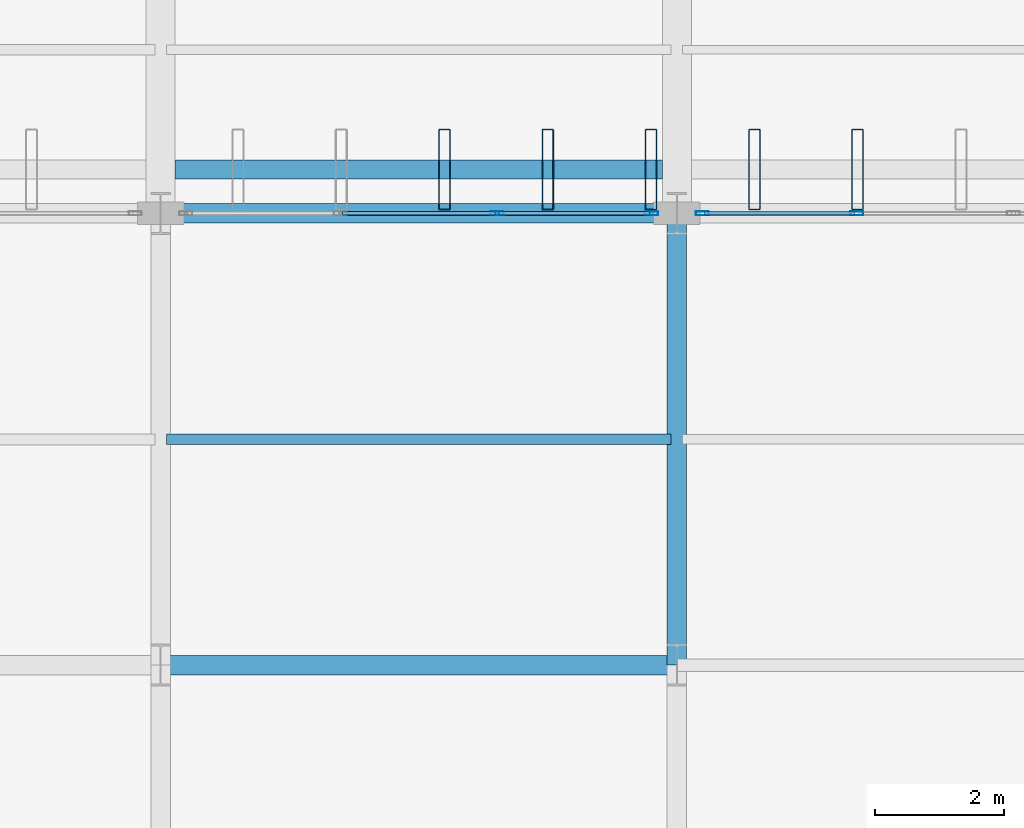
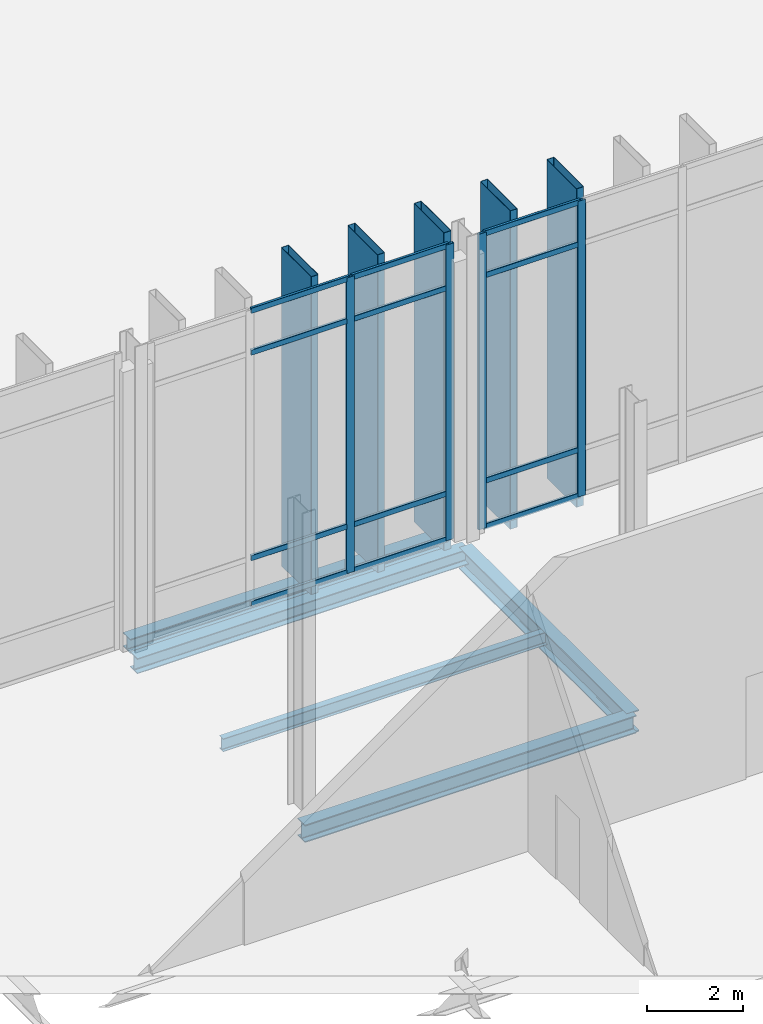
# One storey, part 67 of 176: 21 members, 5 beams, 2 elements without a shape of their own.
"""IFC4 building model written with IfcOpenShell, lengths in metres."""

import ifcopenshell
import ifcopenshell.guid

model = None  # the IFC model being written
_history = None  # IfcOwnerHistory: only IFC2X3 demands one
_inside = {}  # id of a spatial element -> (the spatial element, [elements in it])
_under = {}  # id of a project, library or spatial element -> (it, [spatial elements below it])
_declared = {}  # id of a project -> (the project, [libraries it declares])
_typed = {}  # id of a type object -> (the type object, [elements of that type])
_made_of = {}  # id of a material, layer set ... -> (it, [elements and type objects made of it])


def new_model(schema):
    """Start an empty IFC model of exactly this schema.

    Asked for "IFC4X3", IfcOpenShell would pick the latest addendum, in which some entities
    have other attributes; the version numbers below select the first issue.
    IFC2X3 requires an IfcOwnerHistory on every rooted entity: one is made here for all.
    """
    global model, _history
    if schema == "IFC4X3":
        model = ifcopenshell.file(schema_version=(4, 3, 0, 0))
    else:
        model = ifcopenshell.file(schema=schema)
    _inside.clear()
    _under.clear()
    _declared.clear()
    _typed.clear()
    _made_of.clear()
    _history = None
    if model.schema == "IFC2X3":
        org = make("IfcOrganization", Name="unknown")
        user = make(
            "IfcPersonAndOrganization",
            ThePerson=make("IfcPerson", FamilyName="unknown"),
            TheOrganization=org,
        )
        app = make(
            "IfcApplication",
            ApplicationDeveloper=org,
            Version="unknown",
            ApplicationFullName="unknown",
            ApplicationIdentifier="unknown",
        )
        _history = make(
            "IfcOwnerHistory",
            OwningUser=user,
            OwningApplication=app,
            ChangeAction="ADDED",
            CreationDate=0,
        )
    return model


def make(cls, **values):
    """One entity of the class cls with the attributes given. An attribute that is None is left unset."""
    return model.create_entity(
        cls, **{name: value for name, value in values.items() if value is not None}
    )


def rooted(cls, **values):
    """An entity with a GlobalId (a new one), such as an element, a storey or a relation."""
    return make(cls, GlobalId=ifcopenshell.guid.new(), OwnerHistory=_history, **values)


def si_unit(unit_type, name, prefix=None):
    """IfcSIUnit, for example si_unit("LENGTHUNIT", "METRE", prefix="MILLI")."""
    return make("IfcSIUnit", UnitType=unit_type, Prefix=prefix, Name=name)


def assignment(units):
    """IfcUnitAssignment: the units of a project."""
    return None if units is None else make("IfcUnitAssignment", Units=units)


def point(xyz):
    """IfcCartesianPoint."""
    return None if xyz is None else make("IfcCartesianPoint", Coordinates=xyz)


def direction(xyz):
    """IfcDirection."""
    return None if xyz is None else make("IfcDirection", DirectionRatios=xyz)


def frame(location, z_axis=None, x_axis=None):
    """IfcAxis2Placement3D, a coordinate frame: its origin and axes. An axis left out is left unset."""
    return make(
        "IfcAxis2Placement3D",
        Location=point(location),
        Axis=direction(z_axis),
        RefDirection=direction(x_axis),
    )


def frame_2d(location, x_axis=None):
    """IfcAxis2Placement2D, a coordinate frame in the plane: its origin and x axis."""
    return make(
        "IfcAxis2Placement2D", Location=point(location), RefDirection=direction(x_axis)
    )


def origin():
    """The frame at (0, 0, 0) with its axes left unset."""
    return frame((0.0, 0.0, 0.0))


def origin_2d():
    """The frame at (0, 0) in the plane with its x axis left unset."""
    return frame_2d((0.0, 0.0))


def place(relative_to, where):
    """IfcLocalPlacement: puts the frame where relative to a parent placement (None: the world)."""
    return make(
        "IfcLocalPlacement", PlacementRelTo=relative_to, RelativePlacement=where
    )


def context(
    kind, dimensions, precision=None, world=None, true_north=None, identifier=None
):
    """IfcGeometricRepresentationContext, for example the 3D "Model" context."""
    return make(
        "IfcGeometricRepresentationContext",
        ContextIdentifier=identifier,
        ContextType=kind,
        CoordinateSpaceDimension=dimensions,
        Precision=precision,
        WorldCoordinateSystem=world,
        TrueNorth=true_north,
    )


def subcontext(parent, identifier, kind, view, scale=None):
    """IfcGeometricRepresentationSubContext, for example "Body" below "Model"."""
    return make(
        "IfcGeometricRepresentationSubContext",
        ContextIdentifier=identifier,
        ContextType=kind,
        ParentContext=parent,
        TargetScale=scale,
        TargetView=view,
    )


def project(units=None, contexts=None):
    """IfcProject with its units and contexts."""
    return rooted(
        "IfcProject",
        Name="project",
        RepresentationContexts=contexts,
        UnitsInContext=assignment(units),
    )


def spatial(cls, under=None, at=None, **own):
    """A site, building, storey or space (cls), placed at a placement, below another one or the project."""
    s = rooted(cls, ObjectPlacement=at, **own)
    if under is not None:
        _under.setdefault(under.id(), (under, []))[1].append(s)
    return s


def profile(cls, at=None, kind="AREA", **sizes):
    """A parametric profile (cls). Its sizes go by their IFC names, for example OverallWidth=200.0."""
    return make(cls, ProfileType=kind, Position=at, **sizes)


def hollow_rectangle(**sizes):
    """IfcRectangleHollowProfileDef."""
    return profile("IfcRectangleHollowProfileDef", **sizes)


def i_section(**sizes):
    """IfcIShapeProfileDef."""
    return profile("IfcIShapeProfileDef", **sizes)


def extrude(swept, where, along, depth):
    """IfcExtrudedAreaSolid: the profile swept, set in the frame where, extruded along a direction by depth."""
    return make(
        "IfcExtrudedAreaSolid",
        SweptArea=swept,
        Position=where,
        ExtrudedDirection=direction(along),
        Depth=depth,
    )


def shape(context_of_items, identifier, shape_type, items):
    """IfcShapeRepresentation: the items that make up one representation, for example the "Body"."""
    return make(
        "IfcShapeRepresentation",
        ContextOfItems=context_of_items,
        RepresentationIdentifier=identifier,
        RepresentationType=shape_type,
        Items=items,
    )


def material(Name=None, Category=None):
    """IfcMaterial."""
    return make("IfcMaterial", Name=Name, Category=Category)


def layer(
    of_material, thickness, ventilated=None, Name=None, Category=None, Priority=None
):
    """IfcMaterialLayer: one layer of a wall or slab, of a material (None: an air gap)."""
    return make(
        "IfcMaterialLayer",
        Material=of_material,
        LayerThickness=thickness,
        IsVentilated=ventilated,
        Name=Name,
        Category=Category,
        Priority=Priority,
    )


def layer_set(layers, Name=None):
    """IfcMaterialLayerSet."""
    return make("IfcMaterialLayerSet", MaterialLayers=layers, LayerSetName=Name)


def material_profile(
    of_material, cross_section, Name=None, Category=None, Priority=None
):
    """IfcMaterialProfile: a cross section and its material."""
    return make(
        "IfcMaterialProfile",
        Name=Name,
        Material=of_material,
        Profile=cross_section,
        Priority=Priority,
        Category=Category,
    )


def profile_set(profiles, Name=None, composite=None):
    """IfcMaterialProfileSet."""
    return make(
        "IfcMaterialProfileSet",
        Name=Name,
        MaterialProfiles=profiles,
        CompositeProfile=composite,
    )


def made_of(thing, what):
    """Note that an element or type object is made of a material, layer set ...; save() writes the relation."""
    if what is not None:
        _made_of.setdefault(what.id(), (what, []))[1].append(thing)
    return thing


def type_object(cls, material=None, **own):
    """A type object (cls), such as IfcWallType, which elements share."""
    return made_of(rooted(cls, **own), material)


def element(
    cls,
    number,
    at=None,
    inside=None,
    cuts=None,
    type_object=None,
    material=None,
    context=None,
    identifier="Body",
    shape_type=None,
    held_by="IfcProductDefinitionShape",
    body=None,
    shapes=None,
    **own,
):
    """One element of the class cls, such as IfcWall. Its Tag is "e" and its number.

    at: its placement. inside: the storey or other place that contains it. cuts: it is an
    opening in that element (IfcRelVoidsElement). A single representation is given by context,
    identifier, shape_type and body (its items); several are given by shapes. held_by: the class
    of the entity that holds the representations. save() writes the other relations.
    """
    e = rooted(cls, Tag="e%d" % number, ObjectPlacement=at, **own)
    if body is not None:
        shapes = [shape(context, identifier, shape_type, body)]
    if shapes is not None:
        e.Representation = make(held_by, Representations=shapes)
    if inside is not None:
        _inside.setdefault(inside.id(), (inside, []))[1].append(e)
    if cuts is not None:
        rooted(
            "IfcRelVoidsElement", RelatingBuildingElement=cuts, RelatedOpeningElement=e
        )
    if type_object is not None:
        _typed.setdefault(type_object.id(), (type_object, []))[1].append(e)
    return made_of(e, material)


def aggregate(whole, parts):
    """IfcRelAggregates: a whole, such as a stair, and the parts it consists of."""
    return rooted("IfcRelAggregates", RelatingObject=whole, RelatedObjects=parts)


def save(model, path):
    """Write the relations noted so far, then the file.

    IfcRelAggregates (storeys below a building ...), IfcRelContainedInSpatialStructure (elements
    in a storey), IfcRelDefinesByType, IfcRelAssociatesMaterial and IfcRelDeclares: one each for
    every whole, place, type object, material and project.
    """
    for whole, parts in _under.values():
        aggregate(whole, parts)
    for where, things in _inside.values():
        rooted(
            "IfcRelContainedInSpatialStructure",
            RelatedElements=things,
            RelatingStructure=where,
        )
    for kind, things in _typed.values():
        rooted("IfcRelDefinesByType", RelatedObjects=things, RelatingType=kind)
    for what, things in _made_of.values():
        rooted("IfcRelAssociatesMaterial", RelatedObjects=things, RelatingMaterial=what)
    for by, libraries in _declared.values():
        rooted("IfcRelDeclares", RelatingContext=by, RelatedDefinitions=libraries)
    model.write(path)


model = new_model("IFC4")

# Units and contexts
model_context = context("Model", 3, precision=1e-05, world=origin(), true_north=direction((0.0, 1.0)))
body_context = subcontext(model_context, "Body", "Model", "MODEL_VIEW")
ifc_project = project(units=[si_unit("LENGTHUNIT", "METRE"), si_unit("AREAUNIT", "SQUARE_METRE"), si_unit("VOLUMEUNIT", "CUBIC_METRE"), si_unit("PLANEANGLEUNIT", "RADIAN"), si_unit("MASSUNIT", "GRAM", prefix="KILO")], contexts=[model_context])

# Site, building, storey
site_placement = place(None, origin())
site = spatial("IfcSite", under=ifc_project, at=site_placement, CompositionType="ELEMENT")
building_placement = place(site_placement, origin())
building = spatial("IfcBuilding", under=site, at=building_placement, Name="Vekula Escarpment Museum", CompositionType="ELEMENT")
storey_placement = place(building_placement, origin())
storey = spatial("IfcBuildingStorey", under=building, at=storey_placement, Name="L01", CompositionType="ELEMENT", Elevation=0.0)

# Beams
ifc_material_1 = material(Name="Steel S355", Category="steel")
ifc_material_profile_1 = material_profile(ifc_material_1, i_section(OverallWidth=0.300048828125, OverallDepth=0.360107421875, WebThickness=0.012451171875, FlangeThickness=0.0224609375, FilletRadius=0.027099609375, at=origin_2d()), Name="HEB 360")
ifc_profile_set_1 = profile_set([ifc_material_profile_1], Name="Steel S355")
beam_type_1 = type_object("IfcBeamType", Name="BM-GIRD-HEB360", PredefinedType="BEAM", material=ifc_profile_set_1)
beam_1_placement = place(storey_placement, frame((110.22509765625, 91.080078125, -0.47998046875), z_axis=(1.0, 0.0, 0.0), x_axis=(0.0, 1.0, 0.0)))
element("IfcBeam", 1, at=beam_1_placement, inside=storey, type_object=beam_type_1, Name="Solar Fin Sill Girder 015", PredefinedType="BEAM", context=body_context, shape_type="SweptSolid", body=[
    extrude(i_section(OverallWidth=0.300048828125, OverallDepth=0.360107421875, WebThickness=0.012451171875, FlangeThickness=0.0224609375, FilletRadius=0.027099609375, at=origin_2d()), origin(), (0.0, 0.0, 1.0), 7.5498046875),
])
ifc_material_2 = material(Name="Steel S355", Category="steel")
ifc_material_profile_2 = material_profile(ifc_material_2, i_section(OverallWidth=0.300048828125, OverallDepth=0.449951171875, WebThickness=0.013916015625, FlangeThickness=0.02587890625, FilletRadius=0.027099609375, at=origin_2d()), Name="HEB 450")
ifc_profile_set_2 = profile_set([ifc_material_profile_2], Name="Steel S355")
beam_type_2 = type_object("IfcBeamType", Name="BM-GIRD-HEB450", PredefinedType="BEAM", material=ifc_profile_set_2)
beam_2_placement = place(storey_placement, frame((110.0, 83.39990234375, -0.52490234375), z_axis=(1.0, 0.0, 0.0), x_axis=(0.0, 1.0, 0.0)))
element("IfcBeam", 2, at=beam_2_placement, inside=storey, type_object=beam_type_2, Name="Beam X L01 0243", PredefinedType="BEAM", context=body_context, shape_type="SweptSolid", body=[
    extrude(i_section(OverallWidth=0.300048828125, OverallDepth=0.449951171875, WebThickness=0.013916015625, FlangeThickness=0.02587890625, FilletRadius=0.027099609375, at=origin_2d()), origin(), (0.0, 0.0, 1.0), 8.0),
])
ifc_material_3 = material(Name="Steel S355", Category="steel")
ifc_material_profile_3 = material_profile(ifc_material_3, i_section(OverallWidth=0.300048828125, OverallDepth=0.550048828125, WebThickness=0.014892578125, FlangeThickness=0.029052734375, FilletRadius=0.027099609375, at=origin_2d()), Name="HEB 550")
ifc_profile_set_3 = profile_set([ifc_material_profile_3], Name="Steel S355")
beam_type_3 = type_object("IfcBeamType", Name="BM-GIRD-HEB550", PredefinedType="BEAM", material=ifc_profile_set_3)
beam_3_placement = place(storey_placement, frame((118.0, 83.39990234375, -0.574951171875), z_axis=(0.0, 1.0, 0.0), x_axis=(-1.0, 0.0, 0.0)))
element("IfcBeam", 3, at=beam_3_placement, inside=storey, type_object=beam_type_3, Name="Beam Y L01 0641", PredefinedType="BEAM", context=body_context, shape_type="SweptSolid", body=[
    extrude(i_section(OverallWidth=0.300048828125, OverallDepth=0.550048828125, WebThickness=0.014892578125, FlangeThickness=0.029052734375, FilletRadius=0.027099609375, at=origin_2d()), origin(), (0.0, 0.0, 1.0), 7.0),
])
ifc_material_4 = material(Name="Steel S355", Category="steel")
ifc_material_profile_4 = material_profile(ifc_material_4, i_section(OverallWidth=0.159912109375, OverallDepth=0.330078125, WebThickness=0.007568359375, FlangeThickness=0.011474609375, FilletRadius=0.01806640625, at=origin_2d()), Name="IPE 330")
ifc_profile_set_4 = profile_set([ifc_material_profile_4], Name="Steel S355")
beam_type_4 = type_object("IfcBeamType", Name="BM-JST-IPE330", PredefinedType="JOIST", material=ifc_profile_set_4)
beam_4_placement = place(storey_placement, frame((110.090087890625, 86.89990234375, -0.465087890625), z_axis=(1.0, 0.0, 0.0), x_axis=(0.0, 1.0, 0.0)))
element("IfcBeam", 4, at=beam_4_placement, inside=storey, type_object=beam_type_4, Name="Secondary Joist L01 0370", PredefinedType="JOIST", context=body_context, shape_type="SweptSolid", body=[
    extrude(i_section(OverallWidth=0.159912109375, OverallDepth=0.330078125, WebThickness=0.007568359375, FlangeThickness=0.011474609375, FilletRadius=0.01806640625, at=origin_2d()), origin(), (0.0, 0.0, 1.0), 7.81982421875),
])
ifc_material_5 = material(Name="Steel S355", Category="steel")
ifc_material_profile_5 = material_profile(ifc_material_5, i_section(OverallWidth=0.300048828125, OverallDepth=0.389892578125, WebThickness=0.010986328125, FlangeThickness=0.01904296875, FilletRadius=0.027099609375, at=origin_2d()), Name="HEA 400")
ifc_profile_set_5 = profile_set([ifc_material_profile_5], Name="Steel S355")
beam_type_5 = type_object("IfcBeamType", Name="BM-SPAN-HEA400", PredefinedType="SPANDREL", material=ifc_profile_set_5)
beam_5_placement = place(storey_placement, frame((110.0, 90.39990234375, -0.4951171875), z_axis=(1.0, 0.0, 0.0), x_axis=(0.0, 1.0, 0.0)))
element("IfcBeam", 5, at=beam_5_placement, inside=storey, type_object=beam_type_5, Name="Beam X L01 0262", PredefinedType="SPANDREL", context=body_context, shape_type="SweptSolid", body=[
    extrude(i_section(OverallWidth=0.300048828125, OverallDepth=0.389892578125, WebThickness=0.010986328125, FlangeThickness=0.01904296875, FilletRadius=0.027099609375, at=origin_2d()), origin(), (0.0, 0.0, 1.0), 8.0),
])

# Curtain wall, members
ifc_material_6 = material(Name="Aluminium thermally broken framing", Category="aluminium")
ifc_layer_1 = layer(ifc_material_6, 0.159912109375)
ifc_layer_set_1 = layer_set([ifc_layer_1], Name="Aluminium thermally broken framing")
curtain_wall_type_1 = type_object("IfcCurtainWallType", Name="CW-SYS-05", PredefinedType="NOTDEFINED", material=ifc_layer_set_1)
curtain_wall_1_placement = place(storey_placement, origin())
curtain_wall_1 = element("IfcCurtainWall", 6, at=curtain_wall_1_placement, inside=storey, type_object=curtain_wall_type_1, Name="Curtain Wall CW-L01-025", PredefinedType="NOTDEFINED")
ifc_material_7 = material(Name="Aluminium anodized mullion", Category="aluminium")
ifc_material_profile_6 = material_profile(ifc_material_7, hollow_rectangle(XDim=0.06494140625, YDim=0.199951171875, WallThickness=0.00390625, InnerFilletRadius=0.00390625, OuterFilletRadius=0.008056640625, at=origin_2d()), Name="ALU 200x65x4")
ifc_profile_set_6 = profile_set([ifc_material_profile_6], Name="Aluminium anodized mullion")
member_type_1 = type_object("IfcMemberType", Name="CW-MUL-200", PredefinedType="MULLION", material=ifc_profile_set_6)
member_1_placement = place(storey_placement, frame((120.78662109375, 90.39990234375, 0.0), z_axis=(0.0, 0.0, 1.0), x_axis=(0.0, -1.0, 0.0)))
member_1 = element("IfcMember", 7, at=member_1_placement, type_object=member_type_1, Name="CW-05 mullion 3", PredefinedType="MULLION", context=body_context, shape_type="SweptSolid", body=[
    extrude(hollow_rectangle(XDim=0.06494140625, YDim=0.199951171875, WallThickness=0.00390625, InnerFilletRadius=0.00390625, OuterFilletRadius=0.008056640625, at=origin_2d()), origin(), (0.0, 0.0, 1.0), 7.5400390625),
])
member_2_placement = place(storey_placement, frame((118.392578125, 90.39990234375, 0.0), z_axis=(0.0, 0.0, 1.0), x_axis=(0.0, -1.0, 0.0)))
member_2 = element("IfcMember", 8, at=member_2_placement, type_object=member_type_1, Name="CW-05 mullion 4", PredefinedType="MULLION", context=body_context, shape_type="SweptSolid", body=[
    extrude(hollow_rectangle(XDim=0.06494140625, YDim=0.199951171875, WallThickness=0.00390625, InnerFilletRadius=0.00390625, OuterFilletRadius=0.008056640625, at=origin_2d()), origin(), (0.0, 0.0, 1.0), 7.5400390625),
])

ifc_material_8 = material(Name="Aluminium thermally broken framing", Category="aluminium")
ifc_layer_2 = layer(ifc_material_8, 0.139892578125)
ifc_layer_set_2 = layer_set([ifc_layer_2], Name="Aluminium thermally broken framing")
curtain_wall_type_2 = type_object("IfcCurtainWallType", Name="CW-SYS-06", PredefinedType="NOTDEFINED", material=ifc_layer_set_2)
curtain_wall_2_placement = place(storey_placement, origin())
curtain_wall_2 = element("IfcCurtainWall", 9, at=curtain_wall_2_placement, inside=storey, type_object=curtain_wall_type_2, Name="Curtain Wall CW-L01-026", PredefinedType="NOTDEFINED")
member_3_placement = place(storey_placement, frame((117.607421875, 90.39990234375, 0.0), z_axis=(0.0, 0.0, 1.0), x_axis=(0.0, -1.0, 0.0)))
member_3 = element("IfcMember", 10, at=member_3_placement, type_object=member_type_1, Name="CW-06 mullion 1", PredefinedType="MULLION", context=body_context, shape_type="SweptSolid", body=[
    extrude(hollow_rectangle(XDim=0.06494140625, YDim=0.199951171875, WallThickness=0.00390625, InnerFilletRadius=0.00390625, OuterFilletRadius=0.008056640625, at=origin_2d()), origin(), (0.0, 0.0, 1.0), 7.5400390625),
])
member_4_placement = place(storey_placement, frame((115.21337890625, 90.39990234375, 0.0), z_axis=(0.0, 0.0, 1.0), x_axis=(0.0, -1.0, 0.0)))
member_4 = element("IfcMember", 11, at=member_4_placement, type_object=member_type_1, Name="CW-06 mullion 2", PredefinedType="MULLION", context=body_context, shape_type="SweptSolid", body=[
    extrude(hollow_rectangle(XDim=0.06494140625, YDim=0.199951171875, WallThickness=0.00390625, InnerFilletRadius=0.00390625, OuterFilletRadius=0.008056640625, at=origin_2d()), origin(), (0.0, 0.0, 1.0), 7.5400390625),
])

# Member
ifc_material_9 = material(Name="Aluminium anodized transom", Category="aluminium")
ifc_material_profile_7 = material_profile(ifc_material_9, hollow_rectangle(XDim=0.06494140625, YDim=0.139892578125, WallThickness=0.00390625, InnerFilletRadius=0.00390625, OuterFilletRadius=0.008056640625, at=origin_2d()), Name="ALU 140x65x4")
ifc_profile_set_7 = profile_set([ifc_material_profile_7], Name="Aluminium anodized transom")
member_type_2 = type_object("IfcMemberType", Name="CW-TRN-140", PredefinedType="USERDEFINED", material=ifc_profile_set_7)
member_5_placement = place(storey_placement, frame((120.754150390625, 90.39990234375, 0.032470703125), z_axis=(-1.0, 0.0, 0.0), x_axis=(0.0, -1.0, 0.0)))
member_5 = element("IfcMember", 12, at=member_5_placement, type_object=member_type_2, Name="CW-05 transom 3.1", ObjectType="TRANSOM", PredefinedType="USERDEFINED", context=body_context, shape_type="SweptSolid", body=[
    extrude(hollow_rectangle(XDim=0.06494140625, YDim=0.139892578125, WallThickness=0.00390625, InnerFilletRadius=0.00390625, OuterFilletRadius=0.008056640625, at=origin_2d()), origin(), (0.0, 0.0, 1.0), 2.3291015625),
])

member_6_placement = place(storey_placement, frame((120.754150390625, 90.39990234375, 1.199951171875), z_axis=(-1.0, 0.0, 0.0), x_axis=(0.0, -1.0, 0.0)))
member_6 = element("IfcMember", 13, at=member_6_placement, type_object=member_type_2, Name="CW-05 transom 3.2", ObjectType="TRANSOM", PredefinedType="USERDEFINED", context=body_context, shape_type="SweptSolid", body=[
    extrude(hollow_rectangle(XDim=0.06494140625, YDim=0.139892578125, WallThickness=0.00390625, InnerFilletRadius=0.00390625, OuterFilletRadius=0.008056640625, at=origin_2d()), origin(), (0.0, 0.0, 1.0), 2.3291015625),
])

member_7_placement = place(storey_placement, frame((120.754150390625, 90.39990234375, 6.43994140625), z_axis=(-1.0, 0.0, 0.0), x_axis=(0.0, -1.0, 0.0)))
member_7 = element("IfcMember", 14, at=member_7_placement, type_object=member_type_2, Name="CW-05 transom 3.3", ObjectType="TRANSOM", PredefinedType="USERDEFINED", context=body_context, shape_type="SweptSolid", body=[
    extrude(hollow_rectangle(XDim=0.06494140625, YDim=0.139892578125, WallThickness=0.00390625, InnerFilletRadius=0.00390625, OuterFilletRadius=0.008056640625, at=origin_2d()), origin(), (0.0, 0.0, 1.0), 2.3291015625),
])

member_8_placement = place(storey_placement, frame((120.754150390625, 90.39990234375, 7.507568359375), z_axis=(-1.0, 0.0, 0.0), x_axis=(0.0, -1.0, 0.0)))
member_8 = element("IfcMember", 15, at=member_8_placement, type_object=member_type_2, Name="CW-05 transom 3.4", ObjectType="TRANSOM", PredefinedType="USERDEFINED", context=body_context, shape_type="SweptSolid", body=[
    extrude(hollow_rectangle(XDim=0.06494140625, YDim=0.139892578125, WallThickness=0.00390625, InnerFilletRadius=0.00390625, OuterFilletRadius=0.008056640625, at=origin_2d()), origin(), (0.0, 0.0, 1.0), 2.3291015625),
])

aggregate(curtain_wall_1, [member_1, member_2, member_5, member_6, member_7, member_8])

member_9_placement = place(storey_placement, frame((117.574951171875, 90.39990234375, 0.032470703125), z_axis=(-1.0, 0.0, 0.0), x_axis=(0.0, -1.0, 0.0)))
member_9 = element("IfcMember", 16, at=member_9_placement, type_object=member_type_2, Name="CW-06 transom 1.1", ObjectType="TRANSOM", PredefinedType="USERDEFINED", context=body_context, shape_type="SweptSolid", body=[
    extrude(hollow_rectangle(XDim=0.06494140625, YDim=0.139892578125, WallThickness=0.00390625, InnerFilletRadius=0.00390625, OuterFilletRadius=0.008056640625, at=origin_2d()), origin(), (0.0, 0.0, 1.0), 2.3291015625),
])

member_10_placement = place(storey_placement, frame((117.574951171875, 90.39990234375, 1.199951171875), z_axis=(-1.0, 0.0, 0.0), x_axis=(0.0, -1.0, 0.0)))
member_10 = element("IfcMember", 17, at=member_10_placement, type_object=member_type_2, Name="CW-06 transom 1.2", ObjectType="TRANSOM", PredefinedType="USERDEFINED", context=body_context, shape_type="SweptSolid", body=[
    extrude(hollow_rectangle(XDim=0.06494140625, YDim=0.139892578125, WallThickness=0.00390625, InnerFilletRadius=0.00390625, OuterFilletRadius=0.008056640625, at=origin_2d()), origin(), (0.0, 0.0, 1.0), 2.3291015625),
])

member_11_placement = place(storey_placement, frame((117.574951171875, 90.39990234375, 6.43994140625), z_axis=(-1.0, 0.0, 0.0), x_axis=(0.0, -1.0, 0.0)))
member_11 = element("IfcMember", 18, at=member_11_placement, type_object=member_type_2, Name="CW-06 transom 1.3", ObjectType="TRANSOM", PredefinedType="USERDEFINED", context=body_context, shape_type="SweptSolid", body=[
    extrude(hollow_rectangle(XDim=0.06494140625, YDim=0.139892578125, WallThickness=0.00390625, InnerFilletRadius=0.00390625, OuterFilletRadius=0.008056640625, at=origin_2d()), origin(), (0.0, 0.0, 1.0), 2.3291015625),
])

member_12_placement = place(storey_placement, frame((117.574951171875, 90.39990234375, 7.507568359375), z_axis=(-1.0, 0.0, 0.0), x_axis=(0.0, -1.0, 0.0)))
member_12 = element("IfcMember", 19, at=member_12_placement, type_object=member_type_2, Name="CW-06 transom 1.4", ObjectType="TRANSOM", PredefinedType="USERDEFINED", context=body_context, shape_type="SweptSolid", body=[
    extrude(hollow_rectangle(XDim=0.06494140625, YDim=0.139892578125, WallThickness=0.00390625, InnerFilletRadius=0.00390625, OuterFilletRadius=0.008056640625, at=origin_2d()), origin(), (0.0, 0.0, 1.0), 2.3291015625),
])

member_13_placement = place(storey_placement, frame((115.180908203125, 90.39990234375, 0.032470703125), z_axis=(-1.0, 0.0, 0.0), x_axis=(0.0, -1.0, 0.0)))
member_13 = element("IfcMember", 20, at=member_13_placement, type_object=member_type_2, Name="CW-06 transom 2.1", ObjectType="TRANSOM", PredefinedType="USERDEFINED", context=body_context, shape_type="SweptSolid", body=[
    extrude(hollow_rectangle(XDim=0.06494140625, YDim=0.139892578125, WallThickness=0.00390625, InnerFilletRadius=0.00390625, OuterFilletRadius=0.008056640625, at=origin_2d()), origin(), (0.0, 0.0, 1.0), 2.36181640625),
])

member_14_placement = place(storey_placement, frame((115.180908203125, 90.39990234375, 1.199951171875), z_axis=(-1.0, 0.0, 0.0), x_axis=(0.0, -1.0, 0.0)))
member_14 = element("IfcMember", 21, at=member_14_placement, type_object=member_type_2, Name="CW-06 transom 2.2", ObjectType="TRANSOM", PredefinedType="USERDEFINED", context=body_context, shape_type="SweptSolid", body=[
    extrude(hollow_rectangle(XDim=0.06494140625, YDim=0.139892578125, WallThickness=0.00390625, InnerFilletRadius=0.00390625, OuterFilletRadius=0.008056640625, at=origin_2d()), origin(), (0.0, 0.0, 1.0), 2.36181640625),
])

member_15_placement = place(storey_placement, frame((115.180908203125, 90.39990234375, 6.43994140625), z_axis=(-1.0, 0.0, 0.0), x_axis=(0.0, -1.0, 0.0)))
member_15 = element("IfcMember", 22, at=member_15_placement, type_object=member_type_2, Name="CW-06 transom 2.3", ObjectType="TRANSOM", PredefinedType="USERDEFINED", context=body_context, shape_type="SweptSolid", body=[
    extrude(hollow_rectangle(XDim=0.06494140625, YDim=0.139892578125, WallThickness=0.00390625, InnerFilletRadius=0.00390625, OuterFilletRadius=0.008056640625, at=origin_2d()), origin(), (0.0, 0.0, 1.0), 2.36181640625),
])

member_16_placement = place(storey_placement, frame((115.180908203125, 90.39990234375, 7.507568359375), z_axis=(-1.0, 0.0, 0.0), x_axis=(0.0, -1.0, 0.0)))
member_16 = element("IfcMember", 23, at=member_16_placement, type_object=member_type_2, Name="CW-06 transom 2.4", ObjectType="TRANSOM", PredefinedType="USERDEFINED", context=body_context, shape_type="SweptSolid", body=[
    extrude(hollow_rectangle(XDim=0.06494140625, YDim=0.139892578125, WallThickness=0.00390625, InnerFilletRadius=0.00390625, OuterFilletRadius=0.008056640625, at=origin_2d()), origin(), (0.0, 0.0, 1.0), 2.36181640625),
])

aggregate(curtain_wall_2, [member_3, member_4, member_9, member_10, member_11, member_12, member_13, member_14, member_15, member_16])

# Members
ifc_material_10 = material(Name="Steel S355 weathered bronze solar fin", Category="steel")
ifc_material_profile_8 = material_profile(ifc_material_10, hollow_rectangle(XDim=0.179931640625, YDim=1.25, WallThickness=0.010009765625, InnerFilletRadius=0.010009765625, OuterFilletRadius=0.02001953125, at=origin_2d()), Name="RHS 1250x180x10")
ifc_profile_set_8 = profile_set([ifc_material_profile_8], Name="Steel S355 weathered bronze solar fin")
member_type_3 = type_object("IfcMemberType", Name="MB-SOLAR-FIN", PredefinedType="USERDEFINED", material=ifc_profile_set_8)
for number, where, z_axis, x_axis, name in (
    (24, (114.39990234375, 91.080078125, -0.320068359375), (0.0, 0.0, 1.0), (1.0, 0.0, 0.0), "Great Hall Vertical Solar Fin 0246"),
    (25, (116.0, 91.080078125, -0.320068359375), (0.0, 0.0, 1.0), (1.0, 0.0, 0.0), "Great Hall Vertical Solar Fin 0251"),
    (26, (117.60009765625, 91.080078125, -0.320068359375), (0.0, 0.0, 1.0), (1.0, 0.0, 0.0), "Great Hall Vertical Solar Fin 0256"),
    (27, (119.199951171875, 91.080078125, -0.320068359375), (0.0, 0.0, 1.0), (1.0, 0.0, 0.0), "Great Hall Vertical Solar Fin 0261"),
    (28, (120.800048828125, 91.080078125, -0.320068359375), (0.0, 0.0, 1.0), (1.0, 0.0, 0.0), "Great Hall Vertical Solar Fin 0266"),
):
    element("IfcMember", number, at=place(storey_placement, frame(where, z_axis=z_axis, x_axis=x_axis)), inside=storey, type_object=member_type_3, Name=name, ObjectType="SOLAR FIN", PredefinedType="USERDEFINED", context=body_context, shape_type="SweptSolid", body=[
        extrude(hollow_rectangle(XDim=0.179931640625, YDim=1.25, WallThickness=0.010009765625, InnerFilletRadius=0.010009765625, OuterFilletRadius=0.02001953125, at=origin_2d()), origin(), (0.0, 0.0, 1.0), 8.1201171875),
    ])

save(model, "model.ifc")
